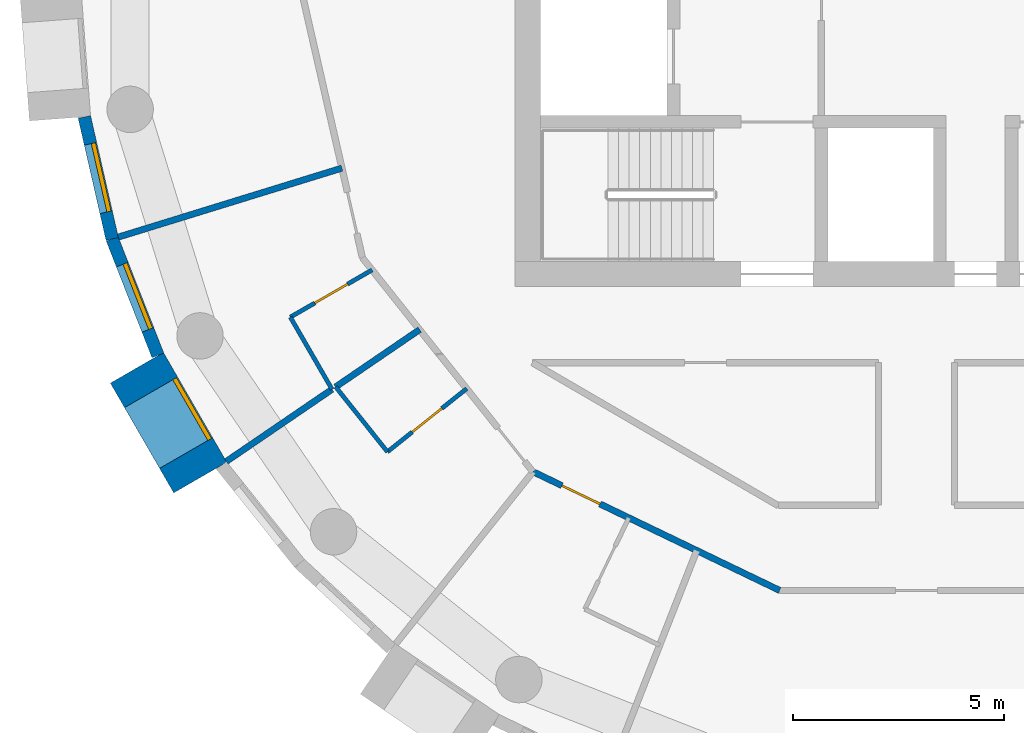
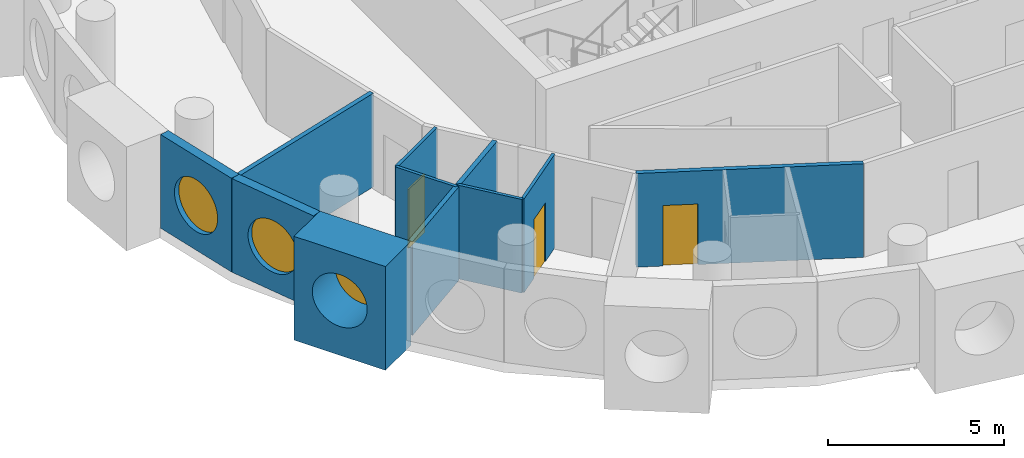
# One storey, part 2 of 13: 11 walls, 3 doors, 3 windows, 6 openings.
"""IFC4 building model written with IfcOpenShell, lengths in metres."""

import ifcopenshell
import ifcopenshell.guid

model = None  # the IFC model being written
_history = None  # IfcOwnerHistory: only IFC2X3 demands one
_inside = {}  # id of a spatial element -> (the spatial element, [elements in it])
_under = {}  # id of a project, library or spatial element -> (it, [spatial elements below it])
_declared = {}  # id of a project -> (the project, [libraries it declares])
_typed = {}  # id of a type object -> (the type object, [elements of that type])
_made_of = {}  # id of a material, layer set ... -> (it, [elements and type objects made of it])


def new_model(schema):
    """Start an empty IFC model of exactly this schema.

    Asked for "IFC4X3", IfcOpenShell would pick the latest addendum, in which some entities
    have other attributes; the version numbers below select the first issue.
    IFC2X3 requires an IfcOwnerHistory on every rooted entity: one is made here for all.
    """
    global model, _history
    if schema == "IFC4X3":
        model = ifcopenshell.file(schema_version=(4, 3, 0, 0))
    else:
        model = ifcopenshell.file(schema=schema)
    _inside.clear()
    _under.clear()
    _declared.clear()
    _typed.clear()
    _made_of.clear()
    _history = None
    if model.schema == "IFC2X3":
        org = make("IfcOrganization", Name="unknown")
        user = make(
            "IfcPersonAndOrganization",
            ThePerson=make("IfcPerson", FamilyName="unknown"),
            TheOrganization=org,
        )
        app = make(
            "IfcApplication",
            ApplicationDeveloper=org,
            Version="unknown",
            ApplicationFullName="unknown",
            ApplicationIdentifier="unknown",
        )
        _history = make(
            "IfcOwnerHistory",
            OwningUser=user,
            OwningApplication=app,
            ChangeAction="ADDED",
            CreationDate=0,
        )
    return model


def make(cls, **values):
    """One entity of the class cls with the attributes given. An attribute that is None is left unset."""
    return model.create_entity(
        cls, **{name: value for name, value in values.items() if value is not None}
    )


def rooted(cls, **values):
    """An entity with a GlobalId (a new one), such as an element, a storey or a relation."""
    return make(cls, GlobalId=ifcopenshell.guid.new(), OwnerHistory=_history, **values)


def si_unit(unit_type, name, prefix=None):
    """IfcSIUnit, for example si_unit("LENGTHUNIT", "METRE", prefix="MILLI")."""
    return make("IfcSIUnit", UnitType=unit_type, Prefix=prefix, Name=name)


def assignment(units):
    """IfcUnitAssignment: the units of a project."""
    return None if units is None else make("IfcUnitAssignment", Units=units)


def point(xyz):
    """IfcCartesianPoint."""
    return None if xyz is None else make("IfcCartesianPoint", Coordinates=xyz)


def direction(xyz):
    """IfcDirection."""
    return None if xyz is None else make("IfcDirection", DirectionRatios=xyz)


def frame(location, z_axis=None, x_axis=None):
    """IfcAxis2Placement3D, a coordinate frame: its origin and axes. An axis left out is left unset."""
    return make(
        "IfcAxis2Placement3D",
        Location=point(location),
        Axis=direction(z_axis),
        RefDirection=direction(x_axis),
    )


def frame_2d(location, x_axis=None):
    """IfcAxis2Placement2D, a coordinate frame in the plane: its origin and x axis."""
    return make(
        "IfcAxis2Placement2D", Location=point(location), RefDirection=direction(x_axis)
    )


def origin():
    """The frame at (0, 0, 0) with its axes left unset."""
    return frame((0.0, 0.0, 0.0))


def origin_2d():
    """The frame at (0, 0) in the plane with its x axis left unset."""
    return frame_2d((0.0, 0.0))


def place(relative_to, where):
    """IfcLocalPlacement: puts the frame where relative to a parent placement (None: the world)."""
    return make(
        "IfcLocalPlacement", PlacementRelTo=relative_to, RelativePlacement=where
    )


def context(
    kind, dimensions, precision=None, world=None, true_north=None, identifier=None
):
    """IfcGeometricRepresentationContext, for example the 3D "Model" context."""
    return make(
        "IfcGeometricRepresentationContext",
        ContextIdentifier=identifier,
        ContextType=kind,
        CoordinateSpaceDimension=dimensions,
        Precision=precision,
        WorldCoordinateSystem=world,
        TrueNorth=true_north,
    )


def subcontext(parent, identifier, kind, view, scale=None):
    """IfcGeometricRepresentationSubContext, for example "Body" below "Model"."""
    return make(
        "IfcGeometricRepresentationSubContext",
        ContextIdentifier=identifier,
        ContextType=kind,
        ParentContext=parent,
        TargetScale=scale,
        TargetView=view,
    )


def project(units=None, contexts=None):
    """IfcProject with its units and contexts."""
    return rooted(
        "IfcProject",
        Name="project",
        RepresentationContexts=contexts,
        UnitsInContext=assignment(units),
    )


def spatial(cls, under=None, at=None, **own):
    """A site, building, storey or space (cls), placed at a placement, below another one or the project."""
    s = rooted(cls, ObjectPlacement=at, **own)
    if under is not None:
        _under.setdefault(under.id(), (under, []))[1].append(s)
    return s


def profile(cls, at=None, kind="AREA", **sizes):
    """A parametric profile (cls). Its sizes go by their IFC names, for example OverallWidth=200.0."""
    return make(cls, ProfileType=kind, Position=at, **sizes)


def rectangle(**sizes):
    """IfcRectangleProfileDef."""
    return profile("IfcRectangleProfileDef", **sizes)


def circle(**sizes):
    """IfcCircleProfileDef."""
    return profile("IfcCircleProfileDef", **sizes)


def extrude(swept, where, along, depth):
    """IfcExtrudedAreaSolid: the profile swept, set in the frame where, extruded along a direction by depth."""
    return make(
        "IfcExtrudedAreaSolid",
        SweptArea=swept,
        Position=where,
        ExtrudedDirection=direction(along),
        Depth=depth,
    )


def shape(context_of_items, identifier, shape_type, items):
    """IfcShapeRepresentation: the items that make up one representation, for example the "Body"."""
    return make(
        "IfcShapeRepresentation",
        ContextOfItems=context_of_items,
        RepresentationIdentifier=identifier,
        RepresentationType=shape_type,
        Items=items,
    )


def material(Name=None, Category=None):
    """IfcMaterial."""
    return make("IfcMaterial", Name=Name, Category=Category)


def layer(
    of_material, thickness, ventilated=None, Name=None, Category=None, Priority=None
):
    """IfcMaterialLayer: one layer of a wall or slab, of a material (None: an air gap)."""
    return make(
        "IfcMaterialLayer",
        Material=of_material,
        LayerThickness=thickness,
        IsVentilated=ventilated,
        Name=Name,
        Category=Category,
        Priority=Priority,
    )


def layer_set(layers, Name=None):
    """IfcMaterialLayerSet."""
    return make("IfcMaterialLayerSet", MaterialLayers=layers, LayerSetName=Name)


def made_of(thing, what):
    """Note that an element or type object is made of a material, layer set ...; save() writes the relation."""
    if what is not None:
        _made_of.setdefault(what.id(), (what, []))[1].append(thing)
    return thing


def type_object(cls, material=None, **own):
    """A type object (cls), such as IfcWallType, which elements share."""
    return made_of(rooted(cls, **own), material)


def element(
    cls,
    number,
    at=None,
    inside=None,
    cuts=None,
    type_object=None,
    material=None,
    context=None,
    identifier="Body",
    shape_type=None,
    held_by="IfcProductDefinitionShape",
    body=None,
    shapes=None,
    **own,
):
    """One element of the class cls, such as IfcWall. Its Tag is "e" and its number.

    at: its placement. inside: the storey or other place that contains it. cuts: it is an
    opening in that element (IfcRelVoidsElement). A single representation is given by context,
    identifier, shape_type and body (its items); several are given by shapes. held_by: the class
    of the entity that holds the representations. save() writes the other relations.
    """
    e = rooted(cls, Tag="e%d" % number, ObjectPlacement=at, **own)
    if body is not None:
        shapes = [shape(context, identifier, shape_type, body)]
    if shapes is not None:
        e.Representation = make(held_by, Representations=shapes)
    if inside is not None:
        _inside.setdefault(inside.id(), (inside, []))[1].append(e)
    if cuts is not None:
        rooted(
            "IfcRelVoidsElement", RelatingBuildingElement=cuts, RelatedOpeningElement=e
        )
    if type_object is not None:
        _typed.setdefault(type_object.id(), (type_object, []))[1].append(e)
    return made_of(e, material)


def fill(opening, filler):
    """IfcRelFillsElement: the door or window that sits in an opening."""
    return rooted(
        "IfcRelFillsElement",
        RelatingOpeningElement=opening,
        RelatedBuildingElement=filler,
    )


def aggregate(whole, parts):
    """IfcRelAggregates: a whole, such as a stair, and the parts it consists of."""
    return rooted("IfcRelAggregates", RelatingObject=whole, RelatedObjects=parts)


def save(model, path):
    """Write the relations noted so far, then the file.

    IfcRelAggregates (storeys below a building ...), IfcRelContainedInSpatialStructure (elements
    in a storey), IfcRelDefinesByType, IfcRelAssociatesMaterial and IfcRelDeclares: one each for
    every whole, place, type object, material and project.
    """
    for whole, parts in _under.values():
        aggregate(whole, parts)
    for where, things in _inside.values():
        rooted(
            "IfcRelContainedInSpatialStructure",
            RelatedElements=things,
            RelatingStructure=where,
        )
    for kind, things in _typed.values():
        rooted("IfcRelDefinesByType", RelatedObjects=things, RelatingType=kind)
    for what, things in _made_of.values():
        rooted("IfcRelAssociatesMaterial", RelatedObjects=things, RelatingMaterial=what)
    for by, libraries in _declared.values():
        rooted("IfcRelDeclares", RelatingContext=by, RelatedDefinitions=libraries)
    model.write(path)


model = new_model("IFC4")

# Units and contexts
model_context = context("Model", 3, precision=1e-05, world=origin(), true_north=direction((0.0, 1.0)))
body_context = subcontext(model_context, "Body", "Model", "MODEL_VIEW")
ifc_project = project(units=[si_unit("LENGTHUNIT", "METRE"), si_unit("AREAUNIT", "SQUARE_METRE"), si_unit("VOLUMEUNIT", "CUBIC_METRE"), si_unit("PLANEANGLEUNIT", "RADIAN"), si_unit("MASSUNIT", "GRAM", prefix="KILO")], contexts=[model_context])

# Site, building, storey
site_placement = place(None, origin())
site = spatial("IfcSite", under=ifc_project, at=site_placement, CompositionType="ELEMENT")
building_placement = place(site_placement, origin())
building = spatial("IfcBuilding", under=site, at=building_placement, Name="Tracery Tower", CompositionType="ELEMENT")
storey_placement = place(building_placement, frame((0.0, 0.0, 256.199951171875)))
storey = spatial("IfcBuildingStorey", under=building, at=storey_placement, Name="L66", CompositionType="ELEMENT", Elevation=256.199951171875)

# Wall, opening, window
ifc_material_1 = material(Name="Precast concrete C50/60", Category="concrete")
ifc_layer_1 = layer(ifc_material_1, 1.449951171875)
ifc_layer_set_1 = layer_set([ifc_layer_1], Name="Deep-set bay unit 3000 x 3600, slab edge 350")
wall_type_1 = type_object("IfcWallType", Name="Deep-set bay unit 3000 x 3600, slab edge 350", PredefinedType="ELEMENTEDWALL", material=ifc_layer_set_1)
wall_1_placement = place(storey_placement, frame((-18.452392578125, -8.92138671875, -0.349853515625), z_axis=(0.0, 0.0, 1.0), x_axis=(0.499990139034, -0.866031096941, 0.0)))
wall_1 = element("IfcWall", 1, at=wall_1_placement, inside=storey, type_object=wall_type_1, Name="Deep-set bay unit 25 at L66", PredefinedType="ELEMENTEDWALL", context=body_context, shape_type="SweptSolid", body=[
    extrude(rectangle(XDim=3.0, YDim=1.449951171875, at=frame_2d((1.5, 0.0))), origin(), (0.0, 0.0, 1.0), 3.599853515625),
])
opening_1_placement = place(wall_1_placement, frame((1.5, 0.0, 1.89990234375)))
opening_1 = element("IfcOpeningElement", 2, at=opening_1_placement, cuts=wall_1, Name="Opening WN1", PredefinedType="OPENING", context=body_context, shape_type="SweptSolid", body=[
    extrude(circle(Radius=0.9000244140625, at=origin_2d()), frame((0.0, 0.73486328125, 0.0), z_axis=(0.0, -1.0, 0.0), x_axis=(1.0, 0.0, 0.0)), (0.0, 0.0, 1.0), 1.469970703125),
])
ifc_material_2 = material(Name="Aluminium frame with tinted double glazing", Category="aluminium")
window_type = type_object("IfcWindowType", Name="Round window 1800", PartitioningType="SINGLE_PANEL", PredefinedType="WINDOW", material=ifc_material_2)
window_1_placement = place(opening_1_placement, origin())
window_1 = element("IfcWindow", 3, at=window_1_placement, inside=storey, type_object=window_type, Name="Round window 25 at L66", OverallHeight=1.800048828125, OverallWidth=1.800048828125, PartitioningType="SINGLE_PANEL", PredefinedType="WINDOW", context=body_context, shape_type="SweptSolid", body=[
    extrude(circle(Radius=0.9000244140625, at=origin_2d()), frame((0.0, 0.69482421875, 0.0), z_axis=(0.0, -1.0, 0.0), x_axis=(1.0, 0.0, 0.0)), (0.0, 0.0, 1.0), 0.10009765625),
])
fill(opening_1, window_1)

ifc_material_3 = material(Name="Precast concrete C50/60", Category="concrete")
ifc_layer_2 = layer(ifc_material_3, 0.300048828125)
ifc_layer_set_2 = layer_set([ifc_layer_2], Name="Facade panel 3000 x 3250")
wall_type_2 = type_object("IfcWallType", Name="Facade panel 3000 x 3250", PredefinedType="SOLIDWALL", material=ifc_layer_set_2)
wall_2_placement = place(storey_placement, frame((-19.69580078125, -2.984130859375, 0.0), z_axis=(0.0, 0.0, 1.0), x_axis=(0.222529389789, -0.974925982155, 0.0)))
wall_2 = element("IfcWall", 4, at=wall_2_placement, inside=storey, type_object=wall_type_2, Name="Facade panel 23 at L66", PredefinedType="SOLIDWALL", context=body_context, shape_type="SweptSolid", body=[
    extrude(rectangle(XDim=2.962158203125, YDim=0.300048828125, at=frame_2d((1.48095703125, 0.0))), origin(), (0.0, 0.0, 1.0), 3.25),
])
opening_2_placement = place(wall_2_placement, frame((1.48095703125, 0.0, 1.5498046875)))
opening_2 = element("IfcOpeningElement", 5, at=opening_2_placement, cuts=wall_2, Name="Opening WN1", PredefinedType="OPENING", context=body_context, shape_type="SweptSolid", body=[
    extrude(circle(Radius=0.9000244140625, at=origin_2d()), frame((0.0, 0.159912109375, 0.0), z_axis=(0.0, -1.0, 0.0), x_axis=(1.0, 0.0, 0.0)), (0.0, 0.0, 1.0), 0.320068359375),
])
window_2_placement = place(opening_2_placement, origin())
window_2 = element("IfcWindow", 6, at=window_2_placement, inside=storey, type_object=window_type, Name="Round window 23 at L66", OverallHeight=1.800048828125, OverallWidth=1.800048828125, PartitioningType="SINGLE_PANEL", PredefinedType="WINDOW", context=body_context, shape_type="SweptSolid", body=[
    extrude(circle(Radius=0.9000244140625, at=origin_2d()), frame((0.0, 0.1201171875, 0.0), z_axis=(0.0, -1.0, 0.0), x_axis=(1.0, 0.0, 0.0)), (0.0, 0.0, 1.0), 0.10009765625),
])
fill(opening_2, window_2)

wall_3_placement = place(storey_placement, frame((-19.03662109375, -5.8720703125, 0.0), z_axis=(0.0, 0.0, 1.0), x_axis=(0.36530043032, -0.930889679612, 0.0)))
wall_3 = element("IfcWall", 7, at=wall_3_placement, inside=storey, type_object=wall_type_2, Name="Facade panel 24 at L66", PredefinedType="SOLIDWALL", context=body_context, shape_type="SweptSolid", body=[
    extrude(rectangle(XDim=2.9619140625, YDim=0.300048828125, at=frame_2d((1.48095703125, 0.0))), origin(), (0.0, 0.0, 1.0), 3.25),
])
opening_3_placement = place(wall_3_placement, frame((1.48095703125, 0.0, 1.5498046875)))
opening_3 = element("IfcOpeningElement", 8, at=opening_3_placement, cuts=wall_3, Name="Opening WN1", PredefinedType="OPENING", context=body_context, shape_type="SweptSolid", body=[
    extrude(circle(Radius=0.9000244140625, at=origin_2d()), frame((0.0, 0.159912109375, 0.0), z_axis=(0.0, -1.0, 0.0), x_axis=(1.0, 0.0, 0.0)), (0.0, 0.0, 1.0), 0.320068359375),
])
window_3_placement = place(opening_3_placement, origin())
window_3 = element("IfcWindow", 9, at=window_3_placement, inside=storey, type_object=window_type, Name="Round window 24 at L66", OverallHeight=1.800048828125, OverallWidth=1.800048828125, PartitioningType="SINGLE_PANEL", PredefinedType="WINDOW", context=body_context, shape_type="SweptSolid", body=[
    extrude(circle(Radius=0.9000244140625, at=origin_2d()), frame((0.0, 0.1201171875, 0.0), z_axis=(0.0, -1.0, 0.0), x_axis=(1.0, 0.0, 0.0)), (0.0, 0.0, 1.0), 0.10009765625),
])
fill(opening_3, window_3)

# Wall, opening, door
ifc_material_4 = material(Name="Plasterboard on steel studs", Category="steel")
ifc_layer_3 = layer(ifc_material_4, 0.10009765625)
ifc_layer_set_3 = layer_set([ifc_layer_3], Name="Partition 100 wet wall")
wall_type_3 = type_object("IfcWallType", Name="Partition 100 wet wall", PredefinedType="PARTITIONING", material=ifc_layer_set_3)
wall_4_placement = place(storey_placement, frame((-14.820068359375, -7.721923828125, 0.0), z_axis=(0.0, 0.0, 1.0), x_axis=(0.866076416361, 0.499911633214, 0.0)))
wall_4 = element("IfcWall", 10, at=wall_4_placement, inside=storey, type_object=wall_type_3, Name="Wet wall RC3-070", PredefinedType="PARTITIONING", context=body_context, shape_type="SweptSolid", body=[
    extrude(rectangle(XDim=2.234375, YDim=0.10009765625, at=frame_2d((1.1171875, 0.0))), origin(), (0.0, 0.0, 1.0), 3.25),
])
opening_4_placement = place(wall_4_placement, frame((0.667236328125, 0.0, 0.0)))
opening_4 = element("IfcOpeningElement", 11, at=opening_4_placement, cuts=wall_4, Name="Opening RC3-18", PredefinedType="OPENING", context=body_context, shape_type="SweptSolid", body=[
    extrude(rectangle(XDim=0.89990234375, YDim=2.0400390625, at=frame_2d((0.449951171875, 1.02001953125))), frame((0.0, 0.050048828125, 0.0), z_axis=(0.0, -1.0, 0.0), x_axis=(1.0, 0.0, 0.0)), (0.0, 0.0, 1.0), 0.10009765625),
])
ifc_material_5 = material(Name="Timber door leaf", Category="wood")
door_type_1 = type_object("IfcDoorType", Name="Door en-suite 900", OperationType="NOTDEFINED", PredefinedType="DOOR", material=ifc_material_5)
door_1_placement = place(opening_4_placement, origin())
door_1 = element("IfcDoor", 12, at=door_1_placement, inside=storey, type_object=door_type_1, Name="En-suite door RC3-18", OperationType="SINGLE_SWING_LEFT", OverallHeight=2.0400390625, OverallWidth=0.89990234375, PredefinedType="DOOR", context=body_context, shape_type="SweptSolid", body=[
    extrude(rectangle(XDim=0.89990234375, YDim=2.0400390625, at=frame_2d((0.449951171875, 1.02001953125))), frame((0.0, 0.02490234375, 0.0), z_axis=(0.0, -1.0, 0.0), x_axis=(1.0, 0.0, 0.0)), (0.0, 0.0, 1.0), 0.050048828125),
])
fill(opening_4, door_1)

# Walls
wall_5_placement = place(storey_placement, frame((-14.820068359375, -7.721923828125, 0.0), z_axis=(0.0, 0.0, 1.0), x_axis=(0.500143626598, -0.865942465048, 0.0)))
element("IfcWall", 13, at=wall_5_placement, inside=storey, type_object=wall_type_3, Name="Wet wall RC3-071", PredefinedType="PARTITIONING", context=body_context, shape_type="SweptSolid", body=[
    extrude(rectangle(XDim=1.9736328125, YDim=0.10009765625, at=frame_2d((0.98681640625, 0.0))), origin(), (0.0, 0.0, 1.0), 3.25),
])
wall_6_placement = place(storey_placement, frame((-13.7470703125, -9.373046875, 0.0), z_axis=(0.0, 0.0, 1.0), x_axis=(0.623330716607, -0.781958322249, 0.0)))
element("IfcWall", 14, at=wall_6_placement, inside=storey, type_object=wall_type_3, Name="Wet wall RC3-074", PredefinedType="PARTITIONING", context=body_context, shape_type="SweptSolid", body=[
    extrude(rectangle(XDim=1.96533203125, YDim=0.10009765625, at=frame_2d((0.982666015625, 0.0))), origin(), (0.0, 0.0, 1.0), 3.25),
])

# Wall, opening, door
wall_7_placement = place(storey_placement, frame((-12.52197265625, -10.909912109375, 0.0), z_axis=(0.0, 0.0, 1.0), x_axis=(0.781830263661, 0.623491330191, 0.0)))
wall_7 = element("IfcWall", 15, at=wall_7_placement, inside=storey, type_object=wall_type_3, Name="Wet wall RC3-075", PredefinedType="PARTITIONING", context=body_context, shape_type="SweptSolid", body=[
    extrude(rectangle(XDim=2.400634765625, YDim=0.10009765625, at=frame_2d((1.2001953125, 0.0))), origin(), (0.0, 0.0, 1.0), 3.25),
])
opening_5_placement = place(wall_7_placement, frame((0.75, 0.0, 0.0)))
opening_5 = element("IfcOpeningElement", 16, at=opening_5_placement, cuts=wall_7, Name="Opening RC3-20", PredefinedType="OPENING", context=body_context, shape_type="SweptSolid", body=[
    extrude(rectangle(XDim=0.89990234375, YDim=2.0400390625, at=frame_2d((0.449951171875, 1.02001953125))), frame((0.0, 0.050048828125, 0.0), z_axis=(0.0, -1.0, 0.0), x_axis=(1.0, 0.0, 0.0)), (0.0, 0.0, 1.0), 0.10009765625),
])
door_2_placement = place(opening_5_placement, origin())
door_2 = element("IfcDoor", 17, at=door_2_placement, inside=storey, type_object=door_type_1, Name="En-suite door RC3-20", OperationType="SINGLE_SWING_LEFT", OverallHeight=2.0400390625, OverallWidth=0.89990234375, PredefinedType="DOOR", context=body_context, shape_type="SweptSolid", body=[
    extrude(rectangle(XDim=0.89990234375, YDim=2.0400390625, at=frame_2d((0.449951171875, 1.02001953125))), frame((0.0, 0.02490234375, 0.0), z_axis=(0.0, -1.0, 0.0), x_axis=(1.0, 0.0, 0.0)), (0.0, 0.0, 1.0), 0.050048828125),
])
fill(opening_5, door_2)

# Walls
ifc_material_6 = material(Name="Plasterboard on steel studs", Category="steel")
ifc_layer_4 = layer(ifc_material_6, 0.14990234375)
ifc_layer_set_4 = layer_set([ifc_layer_4], Name="Partition 150 acoustic unit wall")
wall_type_4 = type_object("IfcWallType", Name="Partition 150 acoustic unit wall", PredefinedType="PARTITIONING", material=ifc_layer_set_4)
wall_8_placement = place(storey_placement, frame((-18.89306640625, -5.827880859375, 0.0), z_axis=(0.0, 0.0, 1.0), x_axis=(0.955580602693, 0.294729896274, 0.0)))
element("IfcWall", 18, at=wall_8_placement, inside=storey, type_object=wall_type_4, Name="Unit wall RC3-069", PredefinedType="PARTITIONING", context=body_context, shape_type="SweptSolid", body=[
    extrude(rectangle(XDim=5.5400390625, YDim=0.14990234375, at=frame_2d((2.77001953125, 0.0))), origin(), (0.0, 0.0, 1.0), 3.25),
])
wall_9_placement = place(storey_placement, frame((-16.3359375, -11.137939453125, 0.0), z_axis=(0.0, 0.0, 1.0), x_axis=(0.826152320289, 0.56344684193, 0.0)))
element("IfcWall", 19, at=wall_9_placement, inside=storey, type_object=wall_type_4, Name="Unit wall RC3-072", PredefinedType="PARTITIONING", context=body_context, shape_type="SweptSolid", body=[
    extrude(rectangle(XDim=3.029541015625, YDim=0.14990234375, at=frame_2d((1.5146484375, 0.0))), origin(), (0.0, 0.0, 1.0), 3.25),
])
wall_10_placement = place(storey_placement, frame((-13.75, -9.375, 0.0), z_axis=(0.0, 0.0, 1.0), x_axis=(0.826143746222, 0.563459413426, 0.0)))
element("IfcWall", 20, at=wall_10_placement, inside=storey, type_object=wall_type_4, Name="Unit wall RC3-073", PredefinedType="PARTITIONING", context=body_context, shape_type="SweptSolid", body=[
    extrude(rectangle(XDim=2.409912109375, YDim=0.14990234375, at=frame_2d((1.205078125, 0.0))), origin(), (0.0, 0.0, 1.0), 3.25),
])

# Wall, opening, door
ifc_material_7 = material(Name="Plasterboard on steel studs", Category="steel")
ifc_layer_5 = layer(ifc_material_7, 0.14990234375)
ifc_layer_set_5 = layer_set([ifc_layer_5], Name="Partition 150 corridor wall")
wall_type_5 = type_object("IfcWallType", Name="Partition 150 corridor wall", PredefinedType="PARTITIONING", material=ifc_layer_set_5)
wall_11_placement = place(storey_placement, frame((-9.075927734375, -11.381103515625, 0.0), z_axis=(0.0, 0.0, 1.0), x_axis=(0.901070942113, -0.433671716024, 0.0)))
wall_11 = element("IfcWall", 21, at=wall_11_placement, inside=storey, type_object=wall_type_5, Name="Corridor wall RC3-043", PredefinedType="PARTITIONING", context=body_context, shape_type="SweptSolid", body=[
    extrude(rectangle(XDim=6.478515625, YDim=0.14990234375, at=frame_2d((3.2392578125, 0.0))), origin(), (0.0, 0.0, 1.0), 3.25),
])
opening_6_placement = place(wall_11_placement, frame((0.76025390625, 0.0, 0.0)))
opening_6 = element("IfcOpeningElement", 22, at=opening_6_placement, cuts=wall_11, Name="Opening RC3-23", PredefinedType="OPENING", context=body_context, shape_type="SweptSolid", body=[
    extrude(rectangle(XDim=1.0, YDim=2.10009765625, at=frame_2d((0.5, 1.050048828125))), frame((0.0, 0.074951171875, 0.0), z_axis=(0.0, -1.0, 0.0), x_axis=(1.0, 0.0, 0.0)), (0.0, 0.0, 1.0), 0.14990234375),
])
ifc_material_8 = material(Name="Timber door leaf", Category="wood")
door_type_2 = type_object("IfcDoorType", Name="Door unit entrance 1000", OperationType="NOTDEFINED", PredefinedType="DOOR", material=ifc_material_8)
door_3_placement = place(opening_6_placement, origin())
door_3 = element("IfcDoor", 23, at=door_3_placement, inside=storey, type_object=door_type_2, Name="Unit entrance door RC3-23", OperationType="SINGLE_SWING_LEFT", OverallHeight=2.10009765625, OverallWidth=1.0, PredefinedType="DOOR", context=body_context, shape_type="SweptSolid", body=[
    extrude(rectangle(XDim=1.0, YDim=2.10009765625, at=frame_2d((0.5, 1.050048828125))), frame((0.0, 0.02490234375, 0.0), z_axis=(0.0, -1.0, 0.0), x_axis=(1.0, 0.0, 0.0)), (0.0, 0.0, 1.0), 0.050048828125),
])
fill(opening_6, door_3)

save(model, "model.ifc")
